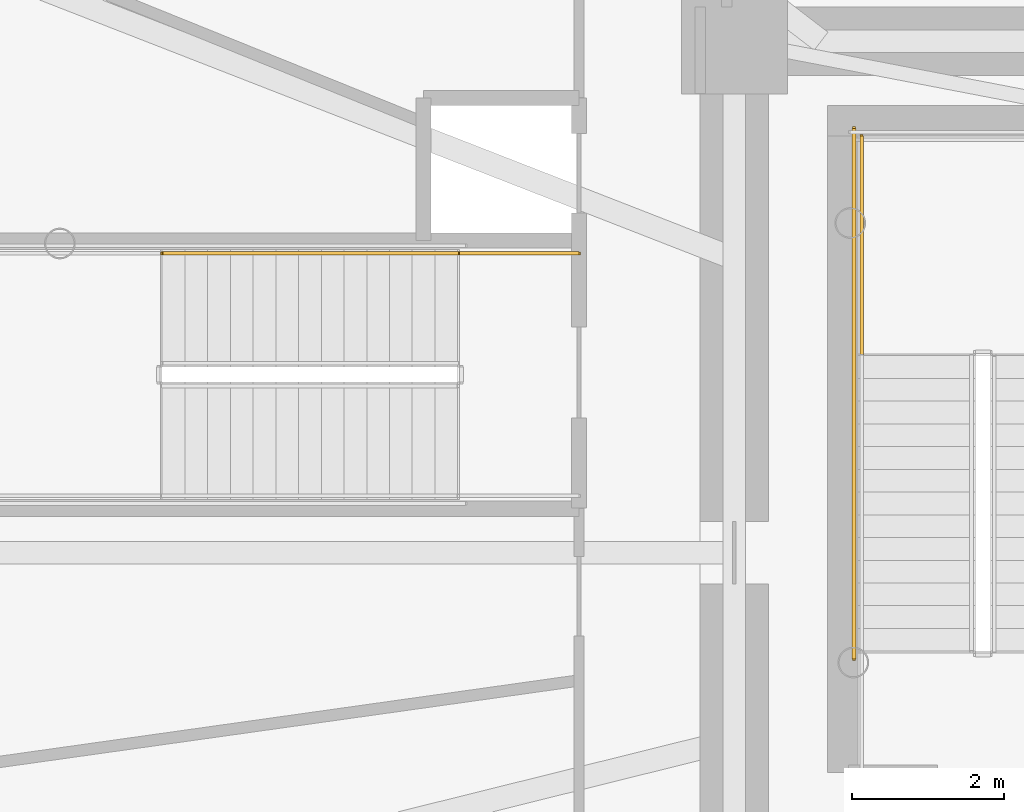
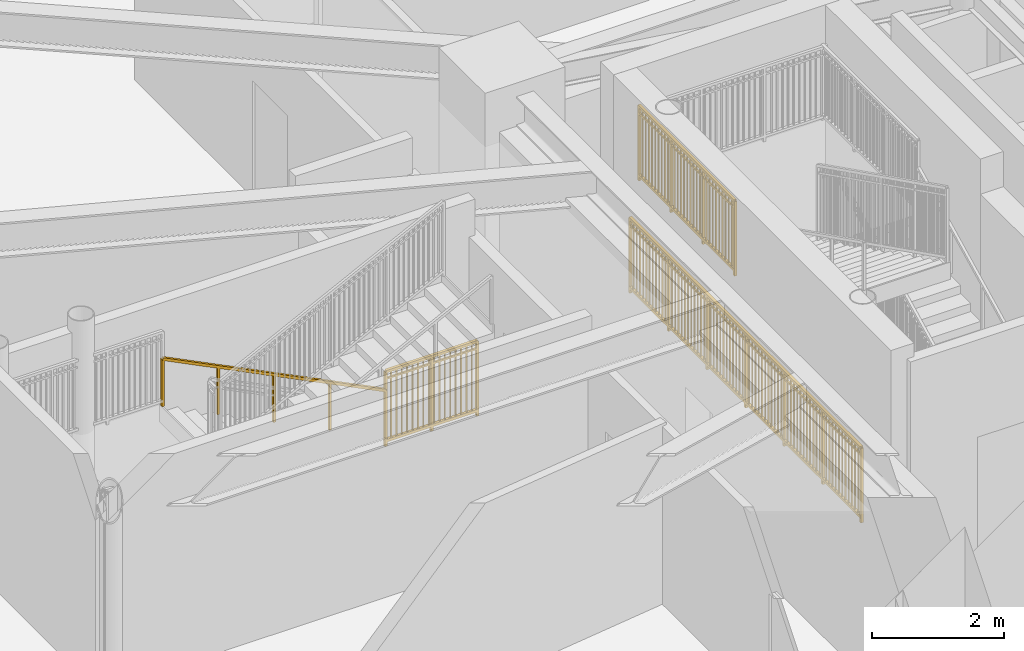
# One storey, part 24 of 32: 4 railings.
"""IFC4 building model written with IfcOpenShell, lengths in metres."""

from ifc_helpers import new_model, si_unit, direction, frame, origin, origin_2d, place, context, subcontext, project, spatial, rectangle, extrude, source, transform, mapped, material, type_object, element, save


model = new_model("IFC4")

# Units and contexts
model_context = context("Model", 3, precision=1e-05, world=origin(), true_north=direction((0.0, 1.0)))
body_context = subcontext(model_context, "Body", "Model", "MODEL_VIEW")
ifc_project = project(units=[si_unit("LENGTHUNIT", "METRE"), si_unit("AREAUNIT", "SQUARE_METRE"), si_unit("VOLUMEUNIT", "CUBIC_METRE"), si_unit("PLANEANGLEUNIT", "RADIAN"), si_unit("MASSUNIT", "GRAM", prefix="KILO")], contexts=[model_context])

# Site, building, storey
site_placement = place(None, origin())
site = spatial("IfcSite", under=ifc_project, at=site_placement, CompositionType="ELEMENT")
building_placement = place(site_placement, origin())
building = spatial("IfcBuilding", under=site, at=building_placement, Name="Linh Dai School and Residence Tower", CompositionType="ELEMENT")
storey_placement = place(building_placement, frame((0.0, 0.0, 40.800048828125)))
storey = spatial("IfcBuildingStorey", under=building, at=storey_placement, Name="L09", CompositionType="ELEMENT", Elevation=40.800048828125)

# Railings
ifc_material_1 = material(Name="Structural Steel S355JR", Category="steel")
railing_type_1 = type_object("IfcRailingType", Name="RL-ST-GUARD-1400", PredefinedType="GUARDRAIL", material=ifc_material_1)
shared_shape_1 = source(origin(), body_context, "Body", "SweptSolid", [
    extrude(rectangle(XDim=0.048095703125, YDim=0.048095703125, at=origin_2d()), frame((0.0, 0.0, 1.3759765625), z_axis=(0.0, 1.0, 0.0), x_axis=(-1.0, 0.0, 0.0)), (0.0, 0.0, 1.0), 7.0),
    extrude(rectangle(XDim=0.048095703125, YDim=0.048095703125, at=origin_2d()), frame((0.0, 0.0, 0.10009765625), z_axis=(0.0, 1.0, 0.0), x_axis=(-1.0, 0.0, 0.0)), (0.0, 0.0, 1.0), 7.0),
    extrude(rectangle(XDim=0.030029296875, YDim=0.030029296875, at=origin_2d()), frame((0.0, 0.0, 1.239990234375), z_axis=(0.0, 1.0, 0.0), x_axis=(-1.0, 0.0, 0.0)), (0.0, 0.0, 1.0), 7.0),
    extrude(rectangle(XDim=0.02001953125, YDim=0.02001953125, at=origin_2d()), frame((0.0, 0.09716796875, 0.10009765625)), (0.0, 0.0, 1.0), 1.251708984375),
    extrude(rectangle(XDim=0.02001953125, YDim=0.02001953125, at=origin_2d()), frame((0.0, 0.1943359375, 0.10009765625)), (0.0, 0.0, 1.0), 1.251708984375),
    extrude(rectangle(XDim=0.02001953125, YDim=0.02001953125, at=origin_2d()), frame((0.0, 0.291748046875, 0.10009765625)), (0.0, 0.0, 1.0), 1.251708984375),
    extrude(rectangle(XDim=0.02001953125, YDim=0.02001953125, at=origin_2d()), frame((0.0, 0.388916015625, 0.10009765625)), (0.0, 0.0, 1.0), 1.251708984375),
    extrude(rectangle(XDim=0.02001953125, YDim=0.02001953125, at=origin_2d()), frame((0.0, 0.486083984375, 0.10009765625)), (0.0, 0.0, 1.0), 1.251708984375),
    extrude(rectangle(XDim=0.02001953125, YDim=0.02001953125, at=origin_2d()), frame((0.0, 0.583251953125, 0.10009765625)), (0.0, 0.0, 1.0), 1.251708984375),
    extrude(rectangle(XDim=0.02001953125, YDim=0.02001953125, at=origin_2d()), frame((0.0, 0.6806640625, 0.10009765625)), (0.0, 0.0, 1.0), 1.251708984375),
    extrude(rectangle(XDim=0.02001953125, YDim=0.02001953125, at=origin_2d()), frame((0.0, 0.77783203125, 0.10009765625)), (0.0, 0.0, 1.0), 1.251708984375),
    extrude(rectangle(XDim=0.02001953125, YDim=0.02001953125, at=origin_2d()), frame((0.0, 0.875, 0.10009765625)), (0.0, 0.0, 1.0), 1.251708984375),
    extrude(rectangle(XDim=0.02001953125, YDim=0.02001953125, at=origin_2d()), frame((0.0, 0.97216796875, 0.10009765625)), (0.0, 0.0, 1.0), 1.251708984375),
    extrude(rectangle(XDim=0.02001953125, YDim=0.02001953125, at=origin_2d()), frame((0.0, 1.0693359375, 0.10009765625)), (0.0, 0.0, 1.0), 1.251708984375),
    extrude(rectangle(XDim=0.02001953125, YDim=0.02001953125, at=origin_2d()), frame((0.0, 1.263916015625, 0.10009765625)), (0.0, 0.0, 1.0), 1.251708984375),
    extrude(rectangle(XDim=0.02001953125, YDim=0.02001953125, at=origin_2d()), frame((0.0, 1.361083984375, 0.10009765625)), (0.0, 0.0, 1.0), 1.251708984375),
    extrude(rectangle(XDim=0.02001953125, YDim=0.02001953125, at=origin_2d()), frame((0.0, 1.458251953125, 0.10009765625)), (0.0, 0.0, 1.0), 1.251708984375),
    extrude(rectangle(XDim=0.02001953125, YDim=0.02001953125, at=origin_2d()), frame((0.0, 1.5556640625, 0.10009765625)), (0.0, 0.0, 1.0), 1.251708984375),
    extrude(rectangle(XDim=0.02001953125, YDim=0.02001953125, at=origin_2d()), frame((0.0, 1.65283203125, 0.10009765625)), (0.0, 0.0, 1.0), 1.251708984375),
    extrude(rectangle(XDim=0.02001953125, YDim=0.02001953125, at=origin_2d()), frame((0.0, 1.75, 0.10009765625)), (0.0, 0.0, 1.0), 1.251708984375),
    extrude(rectangle(XDim=0.02001953125, YDim=0.02001953125, at=origin_2d()), frame((0.0, 1.84716796875, 0.10009765625)), (0.0, 0.0, 1.0), 1.251708984375),
    extrude(rectangle(XDim=0.02001953125, YDim=0.02001953125, at=origin_2d()), frame((0.0, 1.9443359375, 0.10009765625)), (0.0, 0.0, 1.0), 1.251708984375),
    extrude(rectangle(XDim=0.02001953125, YDim=0.02001953125, at=origin_2d()), frame((0.0, 2.041748046875, 0.10009765625)), (0.0, 0.0, 1.0), 1.251708984375),
    extrude(rectangle(XDim=0.02001953125, YDim=0.02001953125, at=origin_2d()), frame((0.0, 2.138916015625, 0.10009765625)), (0.0, 0.0, 1.0), 1.251708984375),
    extrude(rectangle(XDim=0.02001953125, YDim=0.02001953125, at=origin_2d()), frame((0.0, 2.236083984375, 0.10009765625)), (0.0, 0.0, 1.0), 1.251708984375),
    extrude(rectangle(XDim=0.02001953125, YDim=0.02001953125, at=origin_2d()), frame((0.0, 2.4306640625, 0.10009765625)), (0.0, 0.0, 1.0), 1.251708984375),
    extrude(rectangle(XDim=0.02001953125, YDim=0.02001953125, at=origin_2d()), frame((0.0, 2.52783203125, 0.10009765625)), (0.0, 0.0, 1.0), 1.251708984375),
    extrude(rectangle(XDim=0.02001953125, YDim=0.02001953125, at=origin_2d()), frame((0.0, 2.625, 0.10009765625)), (0.0, 0.0, 1.0), 1.251708984375),
    extrude(rectangle(XDim=0.02001953125, YDim=0.02001953125, at=origin_2d()), frame((0.0, 2.72216796875, 0.10009765625)), (0.0, 0.0, 1.0), 1.251708984375),
    extrude(rectangle(XDim=0.02001953125, YDim=0.02001953125, at=origin_2d()), frame((0.0, 2.8193359375, 0.10009765625)), (0.0, 0.0, 1.0), 1.251708984375),
    extrude(rectangle(XDim=0.02001953125, YDim=0.02001953125, at=origin_2d()), frame((0.0, 2.916748046875, 0.10009765625)), (0.0, 0.0, 1.0), 1.251708984375),
    extrude(rectangle(XDim=0.02001953125, YDim=0.02001953125, at=origin_2d()), frame((0.0, 3.013916015625, 0.10009765625)), (0.0, 0.0, 1.0), 1.251708984375),
    extrude(rectangle(XDim=0.02001953125, YDim=0.02001953125, at=origin_2d()), frame((0.0, 3.111083984375, 0.10009765625)), (0.0, 0.0, 1.0), 1.251708984375),
    extrude(rectangle(XDim=0.02001953125, YDim=0.02001953125, at=origin_2d()), frame((0.0, 3.208251953125, 0.10009765625)), (0.0, 0.0, 1.0), 1.251708984375),
    extrude(rectangle(XDim=0.02001953125, YDim=0.02001953125, at=origin_2d()), frame((0.0, 3.3056640625, 0.10009765625)), (0.0, 0.0, 1.0), 1.251708984375),
    extrude(rectangle(XDim=0.02001953125, YDim=0.02001953125, at=origin_2d()), frame((0.0, 3.40283203125, 0.10009765625)), (0.0, 0.0, 1.0), 1.251708984375),
    extrude(rectangle(XDim=0.02001953125, YDim=0.02001953125, at=origin_2d()), frame((0.0, 3.59716796875, 0.10009765625)), (0.0, 0.0, 1.0), 1.251708984375),
    extrude(rectangle(XDim=0.02001953125, YDim=0.02001953125, at=origin_2d()), frame((0.0, 3.6943359375, 0.10009765625)), (0.0, 0.0, 1.0), 1.251708984375),
    extrude(rectangle(XDim=0.02001953125, YDim=0.02001953125, at=origin_2d()), frame((0.0, 3.791748046875, 0.10009765625)), (0.0, 0.0, 1.0), 1.251708984375),
    extrude(rectangle(XDim=0.02001953125, YDim=0.02001953125, at=origin_2d()), frame((0.0, 3.888916015625, 0.10009765625)), (0.0, 0.0, 1.0), 1.251708984375),
    extrude(rectangle(XDim=0.02001953125, YDim=0.02001953125, at=origin_2d()), frame((0.0, 3.986083984375, 0.10009765625)), (0.0, 0.0, 1.0), 1.251708984375),
    extrude(rectangle(XDim=0.02001953125, YDim=0.02001953125, at=origin_2d()), frame((0.0, 4.083251953125, 0.10009765625)), (0.0, 0.0, 1.0), 1.251708984375),
    extrude(rectangle(XDim=0.02001953125, YDim=0.02001953125, at=origin_2d()), frame((0.0, 4.1806640625, 0.10009765625)), (0.0, 0.0, 1.0), 1.251708984375),
    extrude(rectangle(XDim=0.02001953125, YDim=0.02001953125, at=origin_2d()), frame((0.0, 4.27783203125, 0.10009765625)), (0.0, 0.0, 1.0), 1.251708984375),
    extrude(rectangle(XDim=0.02001953125, YDim=0.02001953125, at=origin_2d()), frame((0.0, 4.375, 0.10009765625)), (0.0, 0.0, 1.0), 1.251708984375),
    extrude(rectangle(XDim=0.02001953125, YDim=0.02001953125, at=origin_2d()), frame((0.0, 4.47216796875, 0.10009765625)), (0.0, 0.0, 1.0), 1.251708984375),
    extrude(rectangle(XDim=0.02001953125, YDim=0.02001953125, at=origin_2d()), frame((0.0, 4.5693359375, 0.10009765625)), (0.0, 0.0, 1.0), 1.251708984375),
    extrude(rectangle(XDim=0.02001953125, YDim=0.02001953125, at=origin_2d()), frame((0.0, 4.763916015625, 0.10009765625)), (0.0, 0.0, 1.0), 1.251708984375),
    extrude(rectangle(XDim=0.02001953125, YDim=0.02001953125, at=origin_2d()), frame((0.0, 4.861083984375, 0.10009765625)), (0.0, 0.0, 1.0), 1.251708984375),
    extrude(rectangle(XDim=0.02001953125, YDim=0.02001953125, at=origin_2d()), frame((0.0, 4.958251953125, 0.10009765625)), (0.0, 0.0, 1.0), 1.251708984375),
    extrude(rectangle(XDim=0.02001953125, YDim=0.02001953125, at=origin_2d()), frame((0.0, 5.0556640625, 0.10009765625)), (0.0, 0.0, 1.0), 1.251708984375),
    extrude(rectangle(XDim=0.02001953125, YDim=0.02001953125, at=origin_2d()), frame((0.0, 5.15283203125, 0.10009765625)), (0.0, 0.0, 1.0), 1.251708984375),
    extrude(rectangle(XDim=0.02001953125, YDim=0.02001953125, at=origin_2d()), frame((0.0, 5.25, 0.10009765625)), (0.0, 0.0, 1.0), 1.251708984375),
    extrude(rectangle(XDim=0.02001953125, YDim=0.02001953125, at=origin_2d()), frame((0.0, 5.34716796875, 0.10009765625)), (0.0, 0.0, 1.0), 1.251708984375),
    extrude(rectangle(XDim=0.02001953125, YDim=0.02001953125, at=origin_2d()), frame((0.0, 5.4443359375, 0.10009765625)), (0.0, 0.0, 1.0), 1.251708984375),
    extrude(rectangle(XDim=0.02001953125, YDim=0.02001953125, at=origin_2d()), frame((0.0, 5.541748046875, 0.10009765625)), (0.0, 0.0, 1.0), 1.251708984375),
    extrude(rectangle(XDim=0.02001953125, YDim=0.02001953125, at=origin_2d()), frame((0.0, 5.638916015625, 0.10009765625)), (0.0, 0.0, 1.0), 1.251708984375),
    extrude(rectangle(XDim=0.02001953125, YDim=0.02001953125, at=origin_2d()), frame((0.0, 5.736083984375, 0.10009765625)), (0.0, 0.0, 1.0), 1.251708984375),
    extrude(rectangle(XDim=0.02001953125, YDim=0.02001953125, at=origin_2d()), frame((0.0, 5.9306640625, 0.10009765625)), (0.0, 0.0, 1.0), 1.251708984375),
    extrude(rectangle(XDim=0.02001953125, YDim=0.02001953125, at=origin_2d()), frame((0.0, 6.02783203125, 0.10009765625)), (0.0, 0.0, 1.0), 1.251708984375),
    extrude(rectangle(XDim=0.02001953125, YDim=0.02001953125, at=origin_2d()), frame((0.0, 6.125, 0.10009765625)), (0.0, 0.0, 1.0), 1.251708984375),
    extrude(rectangle(XDim=0.02001953125, YDim=0.02001953125, at=origin_2d()), frame((0.0, 6.22216796875, 0.10009765625)), (0.0, 0.0, 1.0), 1.251708984375),
    extrude(rectangle(XDim=0.02001953125, YDim=0.02001953125, at=origin_2d()), frame((0.0, 6.3193359375, 0.10009765625)), (0.0, 0.0, 1.0), 1.251708984375),
    extrude(rectangle(XDim=0.02001953125, YDim=0.02001953125, at=origin_2d()), frame((0.0, 6.416748046875, 0.10009765625)), (0.0, 0.0, 1.0), 1.251708984375),
    extrude(rectangle(XDim=0.02001953125, YDim=0.02001953125, at=origin_2d()), frame((0.0, 6.513916015625, 0.10009765625)), (0.0, 0.0, 1.0), 1.251708984375),
    extrude(rectangle(XDim=0.02001953125, YDim=0.02001953125, at=origin_2d()), frame((0.0, 6.611083984375, 0.10009765625)), (0.0, 0.0, 1.0), 1.251708984375),
    extrude(rectangle(XDim=0.02001953125, YDim=0.02001953125, at=origin_2d()), frame((0.0, 6.708251953125, 0.10009765625)), (0.0, 0.0, 1.0), 1.251708984375),
    extrude(rectangle(XDim=0.02001953125, YDim=0.02001953125, at=origin_2d()), frame((0.0, 6.8056640625, 0.10009765625)), (0.0, 0.0, 1.0), 1.251708984375),
    extrude(rectangle(XDim=0.02001953125, YDim=0.02001953125, at=origin_2d()), frame((0.0, 6.90283203125, 0.10009765625)), (0.0, 0.0, 1.0), 1.251708984375),
    extrude(rectangle(XDim=0.0419921875, YDim=0.0419921875, at=origin_2d()), origin(), (0.0, 0.0, 1.0), 1.3759765625),
    extrude(rectangle(XDim=0.0419921875, YDim=0.0419921875, at=origin_2d()), frame((0.0, 1.166748046875, 0.0)), (0.0, 0.0, 1.0), 1.3759765625),
    extrude(rectangle(XDim=0.0419921875, YDim=0.0419921875, at=origin_2d()), frame((0.0, 2.333251953125, 0.0)), (0.0, 0.0, 1.0), 1.3759765625),
    extrude(rectangle(XDim=0.0419921875, YDim=0.0419921875, at=origin_2d()), frame((0.0, 3.5, 0.0)), (0.0, 0.0, 1.0), 1.3759765625),
    extrude(rectangle(XDim=0.0419921875, YDim=0.0419921875, at=origin_2d()), frame((0.0, 4.666748046875, 0.0)), (0.0, 0.0, 1.0), 1.3759765625),
    extrude(rectangle(XDim=0.0419921875, YDim=0.0419921875, at=origin_2d()), frame((0.0, 5.833251953125, 0.0)), (0.0, 0.0, 1.0), 1.3759765625),
    extrude(rectangle(XDim=0.0419921875, YDim=0.0419921875, at=origin_2d()), frame((0.0, 7.0, 0.0)), (0.0, 0.0, 1.0), 1.3759765625),
])
railing_1_placement = place(storey_placement, frame((27.6298828125, 25.60009765625, 0.0)))
element("IfcRailing", 1, at=railing_1_placement, inside=storey, type_object=railing_type_1, Name="L09 ST1 stair guard 11", PredefinedType="GUARDRAIL", context=body_context, shape_type="MappedRepresentation", body=[
    mapped(shared_shape_1, transform((0.0, 0.0, 0.0), x_axis=(1.0, 0.0, 0.0), y_axis=(0.0, 1.0, 0.0), z_axis=(0.0, 0.0, 1.0), scale=1.0)),
])
shared_shape_2 = source(origin(), body_context, "Body", "SweptSolid", [
    extrude(rectangle(XDim=0.048095703125, YDim=0.048095703125, at=origin_2d()), frame((0.0, 0.0, 1.3759765625), z_axis=(0.0, 1.0, 0.0), x_axis=(-1.0, 0.0, 0.0)), (0.0, 0.0, 1.0), 2.89990234375),
    extrude(rectangle(XDim=0.048095703125, YDim=0.048095703125, at=origin_2d()), frame((0.0, 0.0, 0.10009765625), z_axis=(0.0, 1.0, 0.0), x_axis=(-1.0, 0.0, 0.0)), (0.0, 0.0, 1.0), 2.89990234375),
    extrude(rectangle(XDim=0.030029296875, YDim=0.030029296875, at=origin_2d()), frame((0.0, 0.0, 1.239990234375), z_axis=(0.0, 1.0, 0.0), x_axis=(-1.0, 0.0, 0.0)), (0.0, 0.0, 1.0), 2.89990234375),
    extrude(rectangle(XDim=0.02001953125, YDim=0.02001953125, at=origin_2d()), frame((0.0, 0.0966796875, 0.10009765625)), (0.0, 0.0, 1.0), 1.251708984375),
    extrude(rectangle(XDim=0.02001953125, YDim=0.02001953125, at=origin_2d()), frame((0.0, 0.193359375, 0.10009765625)), (0.0, 0.0, 1.0), 1.251708984375),
    extrude(rectangle(XDim=0.02001953125, YDim=0.02001953125, at=origin_2d()), frame((0.0, 0.2900390625, 0.10009765625)), (0.0, 0.0, 1.0), 1.251708984375),
    extrude(rectangle(XDim=0.02001953125, YDim=0.02001953125, at=origin_2d()), frame((0.0, 0.38671875, 0.10009765625)), (0.0, 0.0, 1.0), 1.251708984375),
    extrude(rectangle(XDim=0.02001953125, YDim=0.02001953125, at=origin_2d()), frame((0.0, 0.4833984375, 0.10009765625)), (0.0, 0.0, 1.0), 1.251708984375),
    extrude(rectangle(XDim=0.02001953125, YDim=0.02001953125, at=origin_2d()), frame((0.0, 0.580078125, 0.10009765625)), (0.0, 0.0, 1.0), 1.251708984375),
    extrude(rectangle(XDim=0.02001953125, YDim=0.02001953125, at=origin_2d()), frame((0.0, 0.6767578125, 0.10009765625)), (0.0, 0.0, 1.0), 1.251708984375),
    extrude(rectangle(XDim=0.02001953125, YDim=0.02001953125, at=origin_2d()), frame((0.0, 0.773193359375, 0.10009765625)), (0.0, 0.0, 1.0), 1.251708984375),
    extrude(rectangle(XDim=0.02001953125, YDim=0.02001953125, at=origin_2d()), frame((0.0, 0.869873046875, 0.10009765625)), (0.0, 0.0, 1.0), 1.251708984375),
    extrude(rectangle(XDim=0.02001953125, YDim=0.02001953125, at=origin_2d()), frame((0.0, 1.063232421875, 0.10009765625)), (0.0, 0.0, 1.0), 1.251708984375),
    extrude(rectangle(XDim=0.02001953125, YDim=0.02001953125, at=origin_2d()), frame((0.0, 1.159912109375, 0.10009765625)), (0.0, 0.0, 1.0), 1.251708984375),
    extrude(rectangle(XDim=0.02001953125, YDim=0.02001953125, at=origin_2d()), frame((0.0, 1.256591796875, 0.10009765625)), (0.0, 0.0, 1.0), 1.251708984375),
    extrude(rectangle(XDim=0.02001953125, YDim=0.02001953125, at=origin_2d()), frame((0.0, 1.353271484375, 0.10009765625)), (0.0, 0.0, 1.0), 1.251708984375),
    extrude(rectangle(XDim=0.02001953125, YDim=0.02001953125, at=origin_2d()), frame((0.0, 1.449951171875, 0.10009765625)), (0.0, 0.0, 1.0), 1.251708984375),
    extrude(rectangle(XDim=0.02001953125, YDim=0.02001953125, at=origin_2d()), frame((0.0, 1.546630859375, 0.10009765625)), (0.0, 0.0, 1.0), 1.251708984375),
    extrude(rectangle(XDim=0.02001953125, YDim=0.02001953125, at=origin_2d()), frame((0.0, 1.643310546875, 0.10009765625)), (0.0, 0.0, 1.0), 1.251708984375),
    extrude(rectangle(XDim=0.02001953125, YDim=0.02001953125, at=origin_2d()), frame((0.0, 1.739990234375, 0.10009765625)), (0.0, 0.0, 1.0), 1.251708984375),
    extrude(rectangle(XDim=0.02001953125, YDim=0.02001953125, at=origin_2d()), frame((0.0, 1.836669921875, 0.10009765625)), (0.0, 0.0, 1.0), 1.251708984375),
    extrude(rectangle(XDim=0.02001953125, YDim=0.02001953125, at=origin_2d()), frame((0.0, 2.030029296875, 0.10009765625)), (0.0, 0.0, 1.0), 1.251708984375),
    extrude(rectangle(XDim=0.02001953125, YDim=0.02001953125, at=origin_2d()), frame((0.0, 2.126708984375, 0.10009765625)), (0.0, 0.0, 1.0), 1.251708984375),
    extrude(rectangle(XDim=0.02001953125, YDim=0.02001953125, at=origin_2d()), frame((0.0, 2.22314453125, 0.10009765625)), (0.0, 0.0, 1.0), 1.251708984375),
    extrude(rectangle(XDim=0.02001953125, YDim=0.02001953125, at=origin_2d()), frame((0.0, 2.31982421875, 0.10009765625)), (0.0, 0.0, 1.0), 1.251708984375),
    extrude(rectangle(XDim=0.02001953125, YDim=0.02001953125, at=origin_2d()), frame((0.0, 2.41650390625, 0.10009765625)), (0.0, 0.0, 1.0), 1.251708984375),
    extrude(rectangle(XDim=0.02001953125, YDim=0.02001953125, at=origin_2d()), frame((0.0, 2.51318359375, 0.10009765625)), (0.0, 0.0, 1.0), 1.251708984375),
    extrude(rectangle(XDim=0.02001953125, YDim=0.02001953125, at=origin_2d()), frame((0.0, 2.60986328125, 0.10009765625)), (0.0, 0.0, 1.0), 1.251708984375),
    extrude(rectangle(XDim=0.02001953125, YDim=0.02001953125, at=origin_2d()), frame((0.0, 2.70654296875, 0.10009765625)), (0.0, 0.0, 1.0), 1.251708984375),
    extrude(rectangle(XDim=0.02001953125, YDim=0.02001953125, at=origin_2d()), frame((0.0, 2.80322265625, 0.10009765625)), (0.0, 0.0, 1.0), 1.251708984375),
    extrude(rectangle(XDim=0.0419921875, YDim=0.0419921875, at=origin_2d()), origin(), (0.0, 0.0, 1.0), 1.3759765625),
    extrude(rectangle(XDim=0.0419921875, YDim=0.0419921875, at=origin_2d()), frame((0.0, 0.966552734375, 0.0)), (0.0, 0.0, 1.0), 1.3759765625),
    extrude(rectangle(XDim=0.0419921875, YDim=0.0419921875, at=origin_2d()), frame((0.0, 1.933349609375, 0.0)), (0.0, 0.0, 1.0), 1.3759765625),
    extrude(rectangle(XDim=0.0419921875, YDim=0.0419921875, at=origin_2d()), frame((0.0, 2.89990234375, 0.0)), (0.0, 0.0, 1.0), 1.3759765625),
])
railing_2_placement = place(storey_placement, frame((27.72998046875, 29.60009765625, 2.099853515625)))
element("IfcRailing", 2, at=railing_2_placement, inside=storey, type_object=railing_type_1, Name="L09 ST1 stair guard 4", PredefinedType="GUARDRAIL", context=body_context, shape_type="MappedRepresentation", body=[
    mapped(shared_shape_2, transform((0.0, 0.0, 0.0), x_axis=(1.0, 0.0, 0.0), y_axis=(0.0, 1.0, 0.0), z_axis=(0.0, 0.0, 1.0), scale=1.0)),
])
shared_shape_3 = source(origin(), body_context, "Body", "SweptSolid", [
    extrude(rectangle(XDim=0.048095703125, YDim=0.048095703125, at=origin_2d()), frame((0.0, 0.0, 1.3759765625), z_axis=(-1.0, 0.0, 0.0), x_axis=(0.0, -1.0, 0.0)), (0.0, 0.0, 1.0), 1.60009765625),
    extrude(rectangle(XDim=0.048095703125, YDim=0.048095703125, at=origin_2d()), frame((0.0, 0.0, 0.10009765625), z_axis=(-1.0, 0.0, 0.0), x_axis=(0.0, -1.0, 0.0)), (0.0, 0.0, 1.0), 1.60009765625),
    extrude(rectangle(XDim=0.030029296875, YDim=0.030029296875, at=origin_2d()), frame((0.0, 0.0, 1.239990234375), z_axis=(-1.0, 0.0, 0.0), x_axis=(0.0, -1.0, 0.0)), (0.0, 0.0, 1.0), 1.60009765625),
    extrude(rectangle(XDim=0.02001953125, YDim=0.02001953125, at=origin_2d()), frame((-0.09423828125, 0.0, 0.10009765625)), (0.0, 0.0, 1.0), 1.251708984375),
    extrude(rectangle(XDim=0.02001953125, YDim=0.02001953125, at=origin_2d()), frame((-0.188232421875, 0.0, 0.10009765625)), (0.0, 0.0, 1.0), 1.251708984375),
    extrude(rectangle(XDim=0.02001953125, YDim=0.02001953125, at=origin_2d()), frame((-0.282470703125, 0.0, 0.10009765625)), (0.0, 0.0, 1.0), 1.251708984375),
    extrude(rectangle(XDim=0.02001953125, YDim=0.02001953125, at=origin_2d()), frame((-0.37646484375, 0.0, 0.10009765625)), (0.0, 0.0, 1.0), 1.251708984375),
    extrude(rectangle(XDim=0.02001953125, YDim=0.02001953125, at=origin_2d()), frame((-0.470703125, 0.0, 0.10009765625)), (0.0, 0.0, 1.0), 1.251708984375),
    extrude(rectangle(XDim=0.02001953125, YDim=0.02001953125, at=origin_2d()), frame((-0.564697265625, 0.0, 0.10009765625)), (0.0, 0.0, 1.0), 1.251708984375),
    extrude(rectangle(XDim=0.02001953125, YDim=0.02001953125, at=origin_2d()), frame((-0.658935546875, 0.0, 0.10009765625)), (0.0, 0.0, 1.0), 1.251708984375),
    extrude(rectangle(XDim=0.02001953125, YDim=0.02001953125, at=origin_2d()), frame((-0.7529296875, 0.0, 0.10009765625)), (0.0, 0.0, 1.0), 1.251708984375),
    extrude(rectangle(XDim=0.02001953125, YDim=0.02001953125, at=origin_2d()), frame((-0.84716796875, 0.0, 0.10009765625)), (0.0, 0.0, 1.0), 1.251708984375),
    extrude(rectangle(XDim=0.02001953125, YDim=0.02001953125, at=origin_2d()), frame((-0.941162109375, 0.0, 0.10009765625)), (0.0, 0.0, 1.0), 1.251708984375),
    extrude(rectangle(XDim=0.02001953125, YDim=0.02001953125, at=origin_2d()), frame((-1.035400390625, 0.0, 0.10009765625)), (0.0, 0.0, 1.0), 1.251708984375),
    extrude(rectangle(XDim=0.02001953125, YDim=0.02001953125, at=origin_2d()), frame((-1.12939453125, 0.0, 0.10009765625)), (0.0, 0.0, 1.0), 1.251708984375),
    extrude(rectangle(XDim=0.02001953125, YDim=0.02001953125, at=origin_2d()), frame((-1.2236328125, 0.0, 0.10009765625)), (0.0, 0.0, 1.0), 1.251708984375),
    extrude(rectangle(XDim=0.02001953125, YDim=0.02001953125, at=origin_2d()), frame((-1.317626953125, 0.0, 0.10009765625)), (0.0, 0.0, 1.0), 1.251708984375),
    extrude(rectangle(XDim=0.02001953125, YDim=0.02001953125, at=origin_2d()), frame((-1.411865234375, 0.0, 0.10009765625)), (0.0, 0.0, 1.0), 1.251708984375),
    extrude(rectangle(XDim=0.02001953125, YDim=0.02001953125, at=origin_2d()), frame((-1.505859375, 0.0, 0.10009765625)), (0.0, 0.0, 1.0), 1.251708984375),
    extrude(rectangle(XDim=0.0419921875, YDim=0.0419921875, at=origin_2d()), origin(), (0.0, 0.0, 1.0), 1.3759765625),
    extrude(rectangle(XDim=0.0419921875, YDim=0.0419921875, at=origin_2d()), frame((-0.800048828125, 0.0, 0.0)), (0.0, 0.0, 1.0), 1.3759765625),
    extrude(rectangle(XDim=0.0419921875, YDim=0.0419921875, at=origin_2d()), frame((-1.60009765625, 0.0, 0.0)), (0.0, 0.0, 1.0), 1.3759765625),
])
railing_3_placement = place(storey_placement, frame((24.0, 30.949951171875, 0.0)))
element("IfcRailing", 3, at=railing_3_placement, inside=storey, type_object=railing_type_1, Name="L09 STS1 stair guard 8", PredefinedType="GUARDRAIL", context=body_context, shape_type="MappedRepresentation", body=[
    mapped(shared_shape_3, transform((0.0, 0.0, 0.0), x_axis=(1.0, 0.0, 0.0), y_axis=(0.0, 1.0, 0.0), z_axis=(0.0, 0.0, 1.0), scale=1.0)),
])
ifc_material_2 = material(Name="Brushed Stainless Steel Handrail", Category="steel")
railing_type_2 = type_object("IfcRailingType", Name="RL-ST-HANDRAIL-900", PredefinedType="HANDRAIL", material=ifc_material_2)
shared_shape_4 = source(origin(), body_context, "Body", "SweptSolid", [
    extrude(rectangle(XDim=0.048095703125, YDim=0.048095703125, at=origin_2d()), frame((0.0, 0.0, 0.8759765625), z_axis=(-0.894427191, 0.0, 0.4472135955), x_axis=(0.0, -1.0, 0.0)), (0.0, 0.0, 1.0), 4.360107421875),
    extrude(rectangle(XDim=0.0419921875, YDim=0.0419921875, at=origin_2d()), origin(), (0.0, 0.0, 1.0), 0.8759765625),
    extrude(rectangle(XDim=0.0419921875, YDim=0.0419921875, at=origin_2d()), frame((-0.97509765625, 0.0, 0.487548828125)), (0.0, 0.0, 1.0), 0.8759765625),
    extrude(rectangle(XDim=0.0419921875, YDim=0.0419921875, at=origin_2d()), frame((-1.949951171875, 0.0, 0.97509765625)), (0.0, 0.0, 1.0), 0.8759765625),
    extrude(rectangle(XDim=0.0419921875, YDim=0.0419921875, at=origin_2d()), frame((-2.9248046875, 0.0, 1.46240234375)), (0.0, 0.0, 1.0), 0.8759765625),
    extrude(rectangle(XDim=0.0419921875, YDim=0.0419921875, at=origin_2d()), frame((-3.89990234375, 0.0, 1.949951171875)), (0.0, 0.0, 1.0), 0.8759765625),
])
railing_4_placement = place(storey_placement, frame((22.39990234375, 30.949951171875, 0.14990234375)))
element("IfcRailing", 4, at=railing_4_placement, inside=storey, type_object=railing_type_2, Name="L09 STS1 stair handrail 1", PredefinedType="HANDRAIL", context=body_context, shape_type="MappedRepresentation", body=[
    mapped(shared_shape_4, transform((0.0, 0.0, 0.0), x_axis=(1.0, 0.0, 0.0), y_axis=(0.0, 1.0, 0.0), z_axis=(0.0, 0.0, 1.0), scale=1.0)),
])

save(model, "model.ifc")
